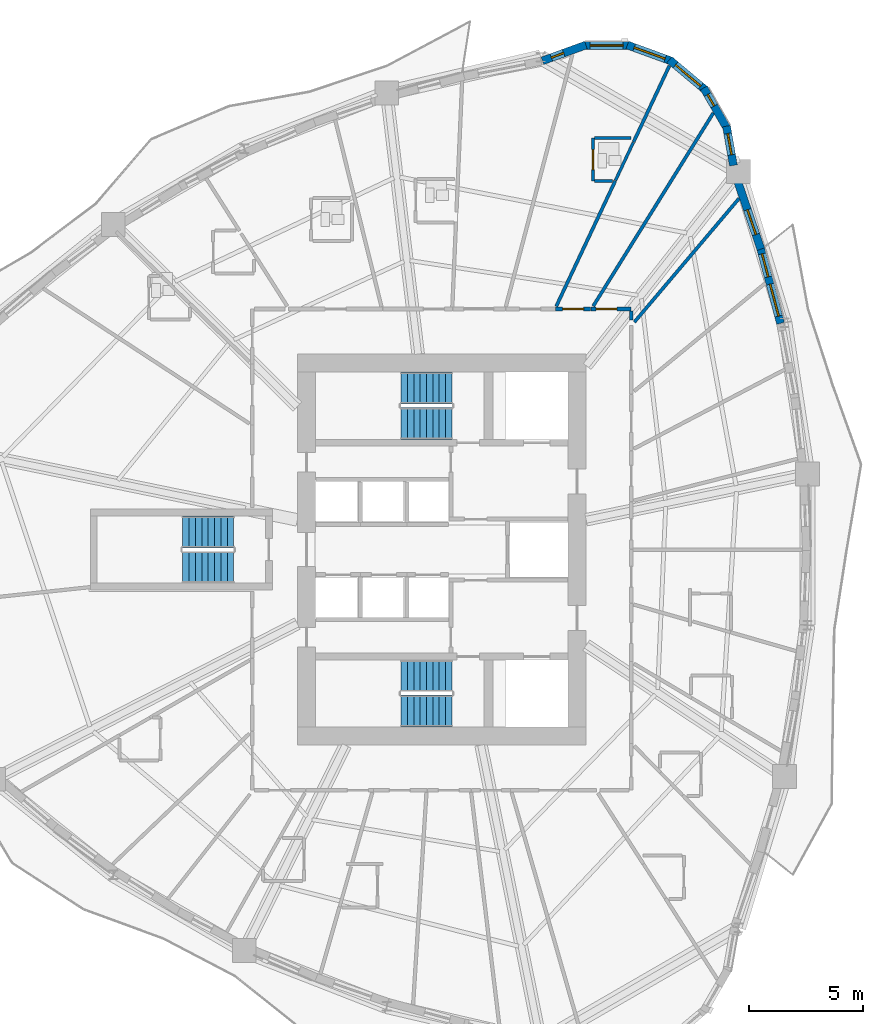
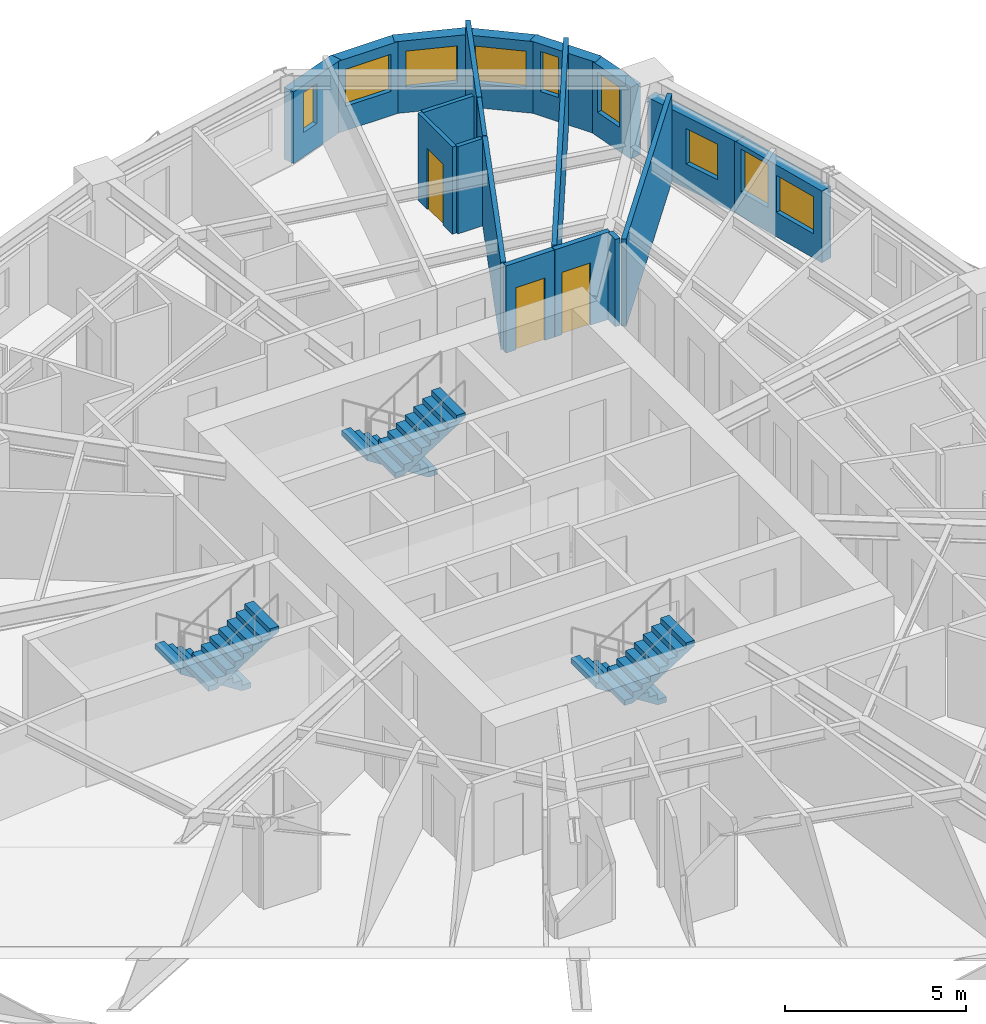
# One storey, part 10 of 14: 19 walls, 9 windows, 6 stair flights, 3 doors, 12 openings, 3 elements without a shape of their own.
"""IFC4 building model written with IfcOpenShell, lengths in metres."""

from ifc_helpers import new_model, si_unit, direction, frame, frame_2d, origin, place, context, subcontext, project, spatial, polyline, rectangle, outline, extrude, source, transform, mapped, material, layer, layer_set, type_object, element, fill, aggregate, save


model = new_model("IFC4")

# Units and contexts
model_context = context("Model", 3, precision=1e-05, world=origin(), true_north=direction((0.0, 1.0)))
body_context = subcontext(model_context, "Body", "Model", "MODEL_VIEW")
ifc_project = project(units=[si_unit("LENGTHUNIT", "METRE"), si_unit("AREAUNIT", "SQUARE_METRE"), si_unit("VOLUMEUNIT", "CUBIC_METRE"), si_unit("PLANEANGLEUNIT", "RADIAN"), si_unit("MASSUNIT", "GRAM", prefix="KILO")], contexts=[model_context])

# Site, building, storey
site_placement = place(None, origin())
site = spatial("IfcSite", under=ifc_project, at=site_placement, CompositionType="ELEMENT")
building_placement = place(site_placement, origin())
building = spatial("IfcBuilding", under=site, at=building_placement, Name="Qafzar Sky-Pleat Residences", CompositionType="ELEMENT")
storey_placement = place(building_placement, frame((0.0, 0.0, 7.800048828125)))
storey = spatial("IfcBuildingStorey", under=building, at=storey_placement, Name="L01", CompositionType="ELEMENT", Elevation=7.800048828125)

# Wall, opening, door
ifc_material_1 = material(Name="Acoustic gypsum plasterboard partition", Category="gypsum")
ifc_layer_1 = layer(ifc_material_1, 0.159912109375)
ifc_layer_set_1 = layer_set([ifc_layer_1], Name="Acoustic gypsum plasterboard partition")
wall_type_1 = type_object("IfcWallType", Name="PART-COR-160", PredefinedType="PARTITIONING", material=ifc_layer_set_1)
wall_1_placement = place(storey_placement, frame((36.9130859375, 36.580078125, 0.0), z_axis=(0.0, 0.0, 1.0), x_axis=(1.0, 0.0, 0.0)))
wall_1 = element("IfcWall", 1, at=wall_1_placement, inside=storey, type_object=wall_type_1, Name="L01 Partition Wall PART-L01-PW-036", PredefinedType="PARTITIONING", context=body_context, shape_type="SweptSolid", body=[
    extrude(rectangle(XDim=1.766845703125, YDim=0.159912109375, at=frame_2d((0.88330078125, 0.0))), origin(), (0.0, 0.0, 1.0), 2.93994140625),
])
opening_1_placement = place(wall_1_placement, frame((0.219970703125, 0.0, 0.0)))
opening_1 = element("IfcOpeningElement", 2, at=opening_1_placement, cuts=wall_1, Name="Opening ID-04", PredefinedType="OPENING", context=body_context, shape_type="SweptSolid", body=[
    extrude(rectangle(XDim=0.919921875, YDim=2.10009765625, at=frame_2d((0.4599609375, 1.050048828125))), frame((0.0, 0.08984375, 0.0), z_axis=(0.0, -1.0, 0.0), x_axis=(1.0, 0.0, 0.0)), (0.0, 0.0, 1.0), 0.179931640625),
])
ifc_material_2 = material(Name="Timber-faced fire door", Category="wood")
door_type_1 = type_object("IfcDoorType", Name="DR-BED-920", OperationType="NOTDEFINED", PredefinedType="DOOR", material=ifc_material_2)
shared_shape_1 = source(origin(), body_context, "Body", "SweptSolid", [
    extrude(rectangle(XDim=0.919921875, YDim=2.10009765625, at=frame_2d((0.4599609375, 1.050048828125))), frame((0.0, 0.02490234375, 0.0), z_axis=(0.0, -1.0, 0.0), x_axis=(1.0, 0.0, 0.0)), (0.0, 0.0, 1.0), 0.050048828125),
])
door_1_placement = place(opening_1_placement, origin())
door_1 = element("IfcDoor", 3, at=door_1_placement, inside=storey, type_object=door_type_1, Name="L01 Co-Living Bedroom 6 Door", OperationType="SINGLE_SWING_RIGHT", OverallHeight=2.10009765625, OverallWidth=0.919921875, PredefinedType="DOOR", context=body_context, shape_type="MappedRepresentation", body=[
    mapped(shared_shape_1, transform((0.0, 0.0, 0.0), x_axis=(1.0, 0.0, 0.0), y_axis=(0.0, 1.0, 0.0), z_axis=(0.0, 0.0, 1.0), scale=1.0)),
])
fill(opening_1, door_1)

wall_2_placement = place(storey_placement, frame((35.360107421875, 36.580078125, 0.0), z_axis=(0.0, 0.0, 1.0), x_axis=(1.0, 0.0, 0.0)))
wall_2 = element("IfcWall", 4, at=wall_2_placement, inside=storey, type_object=wall_type_1, Name="L01 Partition Wall PART-L01-PW-038", PredefinedType="PARTITIONING", context=body_context, shape_type="SweptSolid", body=[
    extrude(rectangle(XDim=1.537841796875, YDim=0.159912109375, at=frame_2d((0.76904296875, 0.0))), origin(), (0.0, 0.0, 1.0), 2.93994140625),
])
opening_2_placement = place(wall_2_placement, frame((0.31005859375, 0.0, 0.0)))
opening_2 = element("IfcOpeningElement", 5, at=opening_2_placement, cuts=wall_2, Name="Opening ID-04", PredefinedType="OPENING", context=body_context, shape_type="SweptSolid", body=[
    extrude(rectangle(XDim=0.919921875, YDim=2.10009765625, at=frame_2d((0.4599609375, 1.050048828125))), frame((0.0, 0.08984375, 0.0), z_axis=(0.0, -1.0, 0.0), x_axis=(1.0, 0.0, 0.0)), (0.0, 0.0, 1.0), 0.179931640625),
])
door_2_placement = place(opening_2_placement, origin())
door_2 = element("IfcDoor", 6, at=door_2_placement, inside=storey, type_object=door_type_1, Name="L01 Co-Living Bedroom 5 Door", OperationType="SINGLE_SWING_RIGHT", OverallHeight=2.10009765625, OverallWidth=0.919921875, PredefinedType="DOOR", context=body_context, shape_type="MappedRepresentation", body=[
    mapped(shared_shape_1, transform((0.0, 0.0, 0.0), x_axis=(1.0, 0.0, 0.0), y_axis=(0.0, 1.0, 0.0), z_axis=(0.0, 0.0, 1.0), scale=1.0)),
])
fill(opening_2, door_2)

# Walls
wall_3_placement = place(storey_placement, frame((38.679931640625, 36.091796875, 0.0), z_axis=(0.0, 0.0, 1.0), x_axis=(0.0, 1.0, 0.0)))
element("IfcWall", 7, at=wall_3_placement, inside=storey, type_object=wall_type_1, Name="L01 Partition Wall PART-L01-PW-114", PredefinedType="PARTITIONING", context=body_context, shape_type="SweptSolid", body=[
    extrude(rectangle(XDim=0.400146484375, YDim=0.159912109375, at=frame_2d((0.2001953125, 0.0))), origin(), (0.0, 0.0, 1.0), 2.93994140625),
])
ifc_layer_2 = layer(ifc_material_1, 0.14501953125)
ifc_layer_set_2 = layer_set([ifc_layer_2], Name="Acoustic gypsum plasterboard partition")
wall_type_2 = type_object("IfcWallType", Name="PART-UNIT-145", PredefinedType="PARTITIONING", material=ifc_layer_set_2)
wall_4_placement = place(storey_placement, frame((37.0087890625, 36.705078125, 0.0), z_axis=(0.0, 0.0, 1.0), x_axis=(0.528183829193, 0.849130050451, 0.0)))
element("IfcWall", 8, at=wall_4_placement, inside=storey, type_object=wall_type_2, Name="L01 Partition Wall PART-L01-PW-044", PredefinedType="PARTITIONING", context=body_context, shape_type="SweptSolid", body=[
    extrude(rectangle(XDim=10.00537109375, YDim=0.14501953125, at=frame_2d((5.002685546875, 0.0))), origin(), (0.0, 0.0, 1.0), 2.93994140625),
])
wall_5_placement = place(storey_placement, frame((38.820556640625, 36.0048828125, 0.0), z_axis=(0.0, 0.0, 1.0), x_axis=(0.646174151972, 0.76318999294, 0.0)))
element("IfcWall", 9, at=wall_5_placement, inside=storey, type_object=wall_type_2, Name="L01 Partition Wall PART-L01-PW-052", PredefinedType="PARTITIONING", context=body_context, shape_type="SweptSolid", body=[
    extrude(rectangle(XDim=7.125, YDim=0.14501953125, at=frame_2d((3.5625, 0.0))), origin(), (0.0, 0.0, 1.0), 2.93994140625),
])
wall_6_placement = place(storey_placement, frame((35.384521484375, 36.697998046875, 0.0), z_axis=(0.0, 0.0, 1.0), x_axis=(0.425687116038, 0.904870421242, 0.0)))
element("IfcWall", 10, at=wall_6_placement, inside=storey, type_object=wall_type_2, Name="L01 Partition Wall PART-L01-PW-053", PredefinedType="PARTITIONING", context=body_context, shape_type="SweptSolid", body=[
    extrude(rectangle(XDim=6.09716796875, YDim=0.14501953125, at=frame_2d((3.048583984375, 0.0))), origin(), (0.0, 0.0, 1.0), 2.93994140625),
])
wall_7_placement = place(storey_placement, frame((38.782958984375, 43.9208984375, 0.0), z_axis=(0.0, 0.0, 1.0), x_axis=(0.425698730146, 0.904864957412, 0.0)))
element("IfcWall", 11, at=wall_7_placement, inside=storey, type_object=wall_type_2, Name="L01 Partition Wall PART-L01-PW-063", PredefinedType="PARTITIONING", context=body_context, shape_type="SweptSolid", body=[
    extrude(rectangle(XDim=3.707763671875, YDim=0.14501953125, at=frame_2d((1.85400390625, 0.0))), origin(), (0.0, 0.0, 1.0), 2.93994140625),
])

# Wall, opening, door
ifc_material_3 = material(Name="Moisture-resistant gypsum partition", Category="gypsum")
ifc_layer_3 = layer(ifc_material_3, 0.1298828125)
ifc_layer_set_3 = layer_set([ifc_layer_3], Name="Moisture-resistant gypsum partition")
wall_type_3 = type_object("IfcWallType", Name="PART-WET-130", PredefinedType="PARTITIONING", material=ifc_layer_set_3)
wall_8_placement = place(storey_placement, frame((36.998046875, 44.10009765625, 0.0), z_axis=(0.0, 0.0, 1.0), x_axis=(0.0, -1.0, 0.0)))
wall_8 = element("IfcWall", 12, at=wall_8_placement, inside=storey, type_object=wall_type_3, Name="L01 Partition Wall PART-L01-PW-027", PredefinedType="PARTITIONING", context=body_context, shape_type="SweptSolid", body=[
    extrude(rectangle(XDim=1.900146484375, YDim=0.1298828125, at=frame_2d((0.9501953125, 0.0))), origin(), (0.0, 0.0, 1.0), 2.93994140625),
])
opening_3_placement = place(wall_8_placement, frame((0.510009765625, 0.0, 0.0)))
opening_3 = element("IfcOpeningElement", 13, at=opening_3_placement, cuts=wall_8, Name="Opening ID-07", PredefinedType="OPENING", context=body_context, shape_type="SweptSolid", body=[
    extrude(rectangle(XDim=0.8798828125, YDim=2.050048828125, at=frame_2d((0.43994140625, 1.02490234375))), frame((0.0, 0.074951171875, 0.0), z_axis=(0.0, -1.0, 0.0), x_axis=(1.0, 0.0, 0.0)), (0.0, 0.0, 1.0), 0.14990234375),
])
door_type_2 = type_object("IfcDoorType", Name="DR-WET-880", OperationType="NOTDEFINED", PredefinedType="DOOR", material=ifc_material_2)
shared_shape_2 = source(origin(), body_context, "Body", "SweptSolid", [
    extrude(rectangle(XDim=0.8798828125, YDim=2.050048828125, at=frame_2d((0.43994140625, 1.02490234375))), frame((0.0, 0.02490234375, 0.0), z_axis=(0.0, -1.0, 0.0), x_axis=(1.0, 0.0, 0.0)), (0.0, 0.0, 1.0), 0.050048828125),
])
door_3_placement = place(opening_3_placement, origin())
door_3 = element("IfcDoor", 14, at=door_3_placement, inside=storey, type_object=door_type_2, Name="L01 En-suite Bathroom 7 Door", OperationType="SINGLE_SWING_LEFT", OverallHeight=2.050048828125, OverallWidth=0.8798828125, PredefinedType="DOOR", context=body_context, shape_type="MappedRepresentation", body=[
    mapped(shared_shape_2, transform((0.0, 0.0, 0.0), x_axis=(1.0, 0.0, 0.0), y_axis=(0.0, 1.0, 0.0), z_axis=(0.0, 0.0, 1.0), scale=1.0)),
])
fill(opening_3, door_3)

# Walls
wall_9_placement = place(storey_placement, frame((37.986572265625, 42.228515625, 0.0), z_axis=(0.0, 0.0, 1.0), x_axis=(0.425771690569, 0.904830629184, 0.0)))
element("IfcWall", 15, at=wall_9_placement, inside=storey, type_object=wall_type_3, Name="L01 Partition Wall PART-L01-PW-077", PredefinedType="PARTITIONING", context=body_context, shape_type="SweptSolid", body=[
    extrude(rectangle(XDim=1.85546875, YDim=0.1298828125, at=frame_2d((0.927734375, 0.0))), origin(), (0.0, 0.0, 1.0), 2.93994140625),
])
wall_10_placement = place(storey_placement, frame((37.071044921875, 44.10009765625, 0.0), z_axis=(0.0, 0.0, 1.0), x_axis=(1.0, 0.0, 0.0)))
element("IfcWall", 16, at=wall_10_placement, inside=storey, type_object=wall_type_3, Name="L01 Partition Wall PART-L01-PW-080", PredefinedType="PARTITIONING", context=body_context, shape_type="SweptSolid", body=[
    extrude(rectangle(XDim=1.608154296875, YDim=0.1298828125, at=frame_2d((0.80419921875, 0.0))), origin(), (0.0, 0.0, 1.0), 2.93994140625),
])
wall_11_placement = place(storey_placement, frame((37.071044921875, 42.199951171875, 0.0), z_axis=(0.0, 0.0, 1.0), x_axis=(1.0, 0.0, 0.0)))
element("IfcWall", 17, at=wall_11_placement, inside=storey, type_object=wall_type_3, Name="L01 Partition Wall PART-L01-PW-109", PredefinedType="PARTITIONING", context=body_context, shape_type="SweptSolid", body=[
    extrude(rectangle(XDim=0.783203125, YDim=0.1298828125, at=frame_2d((0.3916015625, 0.0))), origin(), (0.0, 0.0, 1.0), 2.93994140625),
])

# Wall, openings, windows
ifc_material_4 = material(Name="Precast concrete C40/50 with honed Riyadh limestone", Category="concrete")
ifc_layer_4 = layer(ifc_material_4, 0.35009765625)
ifc_layer_set_4 = layer_set([ifc_layer_4], Name="Precast concrete C40/50 with honed Riyadh limestone")
wall_type_4 = type_object("IfcWallType", Name="WALL-EXT-350", PredefinedType="SOLIDWALL", material=ifc_layer_set_4)
wall_12_placement = place(storey_placement, frame((45.24755859375, 35.950927734375, 0.0), z_axis=(0.0, 0.0, 1.0), x_axis=(-0.25703883136, 0.966401075731, 0.0)))
wall_12 = element("IfcWall", 18, at=wall_12_placement, inside=storey, type_object=wall_type_4, Name="L01 Limestone Facade Wall 31", PredefinedType="SOLIDWALL", context=body_context, shape_type="SweptSolid", body=[
    extrude(rectangle(XDim=3.459228515625, YDim=0.35009765625, at=frame_2d((1.7294921875, 0.0))), origin(), (0.0, 0.0, 1.0), 2.419921875),
])
opening_4_placement = place(wall_12_placement, frame((0.329345703125, 0.0, 0.820068359375)))
opening_4 = element("IfcOpeningElement", 19, at=opening_4_placement, cuts=wall_12, Name="Opening WN-15", PredefinedType="OPENING", context=body_context, shape_type="SweptSolid", body=[
    extrude(rectangle(XDim=1.449951171875, YDim=1.25, at=frame_2d((0.72509765625, 0.625))), frame((0.0, 0.18505859375, 0.0), z_axis=(0.0, -1.0, 0.0), x_axis=(1.0, 0.0, 0.0)), (0.0, 0.0, 1.0), 0.3701171875),
])
opening_5_placement = place(wall_12_placement, frame((2.109130859375, 0.0, 0.820068359375)))
opening_5 = element("IfcOpeningElement", 20, at=opening_5_placement, cuts=wall_12, Name="Opening WN-06", PredefinedType="OPENING", context=body_context, shape_type="SweptSolid", body=[
    extrude(rectangle(XDim=1.050048828125, YDim=1.449951171875, at=frame_2d((0.52490234375, 0.72509765625))), frame((0.0, 0.18505859375, 0.0), z_axis=(0.0, -1.0, 0.0), x_axis=(1.0, 0.0, 0.0)), (0.0, 0.0, 1.0), 0.3701171875),
])
ifc_material_5 = material(Name="Solar-control low-E glass in bronze aluminium frame", Category="glass")
window_type_1 = type_object("IfcWindowType", Name="WIN-15", PartitioningType="SINGLE_PANEL", PredefinedType="WINDOW", material=ifc_material_5)
shared_shape_3 = source(origin(), body_context, "Body", "SweptSolid", [
    extrude(rectangle(XDim=1.449951171875, YDim=1.25, at=frame_2d((0.72509765625, 0.625))), frame((0.0, 0.030029296875, 0.0), z_axis=(0.0, -1.0, 0.0), x_axis=(1.0, 0.0, 0.0)), (0.0, 0.0, 1.0), 0.06005859375),
])
window_1_placement = place(opening_4_placement, origin())
window_1 = element("IfcWindow", 21, at=window_1_placement, inside=storey, type_object=window_type_1, Name="L01 Punched Facade Window 31", OverallHeight=1.25, OverallWidth=1.449951171875, PartitioningType="SINGLE_PANEL", PredefinedType="WINDOW", context=body_context, shape_type="MappedRepresentation", body=[
    mapped(shared_shape_3, transform((0.0, 0.0, 0.0), x_axis=(1.0, 0.0, 0.0), y_axis=(0.0, 1.0, 0.0), z_axis=(0.0, 0.0, 1.0), scale=1.0)),
])
fill(opening_4, window_1)
window_type_2 = type_object("IfcWindowType", Name="WIN-06", PartitioningType="SINGLE_PANEL", PredefinedType="WINDOW", material=ifc_material_5)
shared_shape_4 = source(origin(), body_context, "Body", "SweptSolid", [
    extrude(rectangle(XDim=1.050048828125, YDim=1.449951171875, at=frame_2d((0.52490234375, 0.72509765625))), frame((0.0, 0.030029296875, 0.0), z_axis=(0.0, -1.0, 0.0), x_axis=(1.0, 0.0, 0.0)), (0.0, 0.0, 1.0), 0.06005859375),
])
window_2_placement = place(opening_5_placement, origin())
window_2 = element("IfcWindow", 22, at=window_2_placement, inside=storey, type_object=window_type_2, Name="L01 Punched Facade Window 31-2", OverallHeight=1.449951171875, OverallWidth=1.050048828125, PartitioningType="SINGLE_PANEL", PredefinedType="WINDOW", context=body_context, shape_type="MappedRepresentation", body=[
    mapped(shared_shape_4, transform((0.0, 0.0, 0.0), x_axis=(1.0, 0.0, 0.0), y_axis=(0.0, 1.0, 0.0), z_axis=(0.0, 0.0, 1.0), scale=1.0)),
])
fill(opening_5, window_2)

# Wall, opening, window
wall_13_placement = place(storey_placement, frame((44.384033203125, 39.209716796875, 0.0), z_axis=(0.0, 0.0, 1.0), x_axis=(-0.323604561993, 0.946192415663, 0.0)))
wall_13 = element("IfcWall", 23, at=wall_13_placement, inside=storey, type_object=wall_type_4, Name="L01 Limestone Facade Wall 32", PredefinedType="SOLIDWALL", context=body_context, shape_type="SweptSolid", body=[
    extrude(rectangle(XDim=3.25244140625, YDim=0.35009765625, at=frame_2d((1.626220703125, 0.0))), origin(), (0.0, 0.0, 1.0), 2.419921875),
])
opening_6_placement = place(wall_13_placement, frame((0.6826171875, 0.0, 0.820068359375)))
opening_6 = element("IfcOpeningElement", 24, at=opening_6_placement, cuts=wall_13, Name="Opening WN-16", PredefinedType="OPENING", context=body_context, shape_type="SweptSolid", body=[
    extrude(rectangle(XDim=1.14990234375, YDim=1.199951171875, at=frame_2d((0.574951171875, 0.60009765625))), frame((0.0, 0.18505859375, 0.0), z_axis=(0.0, -1.0, 0.0), x_axis=(1.0, 0.0, 0.0)), (0.0, 0.0, 1.0), 0.3701171875),
])
window_type_3 = type_object("IfcWindowType", Name="WIN-16", PartitioningType="SINGLE_PANEL", PredefinedType="WINDOW", material=ifc_material_5)
shared_shape_5 = source(origin(), body_context, "Body", "SweptSolid", [
    extrude(rectangle(XDim=1.14990234375, YDim=1.199951171875, at=frame_2d((0.574951171875, 0.60009765625))), frame((0.0, 0.030029296875, 0.0), z_axis=(0.0, -1.0, 0.0), x_axis=(1.0, 0.0, 0.0)), (0.0, 0.0, 1.0), 0.06005859375),
])
window_3_placement = place(opening_6_placement, origin())
window_3 = element("IfcWindow", 25, at=window_3_placement, inside=storey, type_object=window_type_3, Name="L01 Punched Facade Window 32", OverallHeight=1.199951171875, OverallWidth=1.14990234375, PartitioningType="SINGLE_PANEL", PredefinedType="WINDOW", context=body_context, shape_type="MappedRepresentation", body=[
    mapped(shared_shape_5, transform((0.0, 0.0, 0.0), x_axis=(1.0, 0.0, 0.0), y_axis=(0.0, 1.0, 0.0), z_axis=(0.0, 0.0, 1.0), scale=1.0)),
])
fill(opening_6, window_3)

wall_14_placement = place(storey_placement, frame((43.175537109375, 42.892822265625, 0.0), z_axis=(0.0, 0.0, 1.0), x_axis=(-0.173610462023, 0.984814402553, 0.0)))
wall_14 = element("IfcWall", 26, at=wall_14_placement, inside=storey, type_object=wall_type_4, Name="L01 Limestone Facade Wall 33", PredefinedType="SOLIDWALL", context=body_context, shape_type="SweptSolid", body=[
    extrude(rectangle(XDim=1.752197265625, YDim=0.35009765625, at=frame_2d((0.8759765625, 0.0))), origin(), (0.0, 0.0, 1.0), 2.419921875),
])
opening_7_placement = place(wall_14_placement, frame((0.476318359375, 0.0, 0.820068359375)))
opening_7 = element("IfcOpeningElement", 27, at=opening_7_placement, cuts=wall_14, Name="Opening WN-12", PredefinedType="OPENING", context=body_context, shape_type="SweptSolid", body=[
    extrude(rectangle(XDim=0.949951171875, YDim=1.35009765625, at=frame_2d((0.47509765625, 0.675048828125))), frame((0.0, 0.18505859375, 0.0), z_axis=(0.0, -1.0, 0.0), x_axis=(1.0, 0.0, 0.0)), (0.0, 0.0, 1.0), 0.3701171875),
])
window_type_4 = type_object("IfcWindowType", Name="WIN-12", PartitioningType="SINGLE_PANEL", PredefinedType="WINDOW", material=ifc_material_5)
shared_shape_6 = source(origin(), body_context, "Body", "SweptSolid", [
    extrude(rectangle(XDim=0.949951171875, YDim=1.35009765625, at=frame_2d((0.47509765625, 0.675048828125))), frame((0.0, 0.030029296875, 0.0), z_axis=(0.0, -1.0, 0.0), x_axis=(1.0, 0.0, 0.0)), (0.0, 0.0, 1.0), 0.06005859375),
])
window_4_placement = place(opening_7_placement, origin())
window_4 = element("IfcWindow", 28, at=window_4_placement, inside=storey, type_object=window_type_4, Name="L01 Punched Facade Window 33", OverallHeight=1.35009765625, OverallWidth=0.949951171875, PartitioningType="SINGLE_PANEL", PredefinedType="WINDOW", context=body_context, shape_type="MappedRepresentation", body=[
    mapped(shared_shape_6, transform((0.0, 0.0, 0.0), x_axis=(1.0, 0.0, 0.0), y_axis=(0.0, 1.0, 0.0), z_axis=(0.0, 0.0, 1.0), scale=1.0)),
])
fill(opening_7, window_4)

wall_15_placement = place(storey_placement, frame((42.91748046875, 44.490966796875, 0.0), z_axis=(0.0, 0.0, 1.0), x_axis=(-0.49990781971, 0.866078617559, 0.0)))
wall_15 = element("IfcWall", 29, at=wall_15_placement, inside=storey, type_object=wall_type_4, Name="L01 Limestone Facade Wall 34", PredefinedType="SOLIDWALL", context=body_context, shape_type="SweptSolid", body=[
    extrude(rectangle(XDim=2.09033203125, YDim=0.35009765625, at=frame_2d((1.045166015625, 0.0))), origin(), (0.0, 0.0, 1.0), 2.419921875),
])
opening_8_placement = place(wall_15_placement, frame((1.17529296875, 0.0, 0.820068359375)))
opening_8 = element("IfcOpeningElement", 30, at=opening_8_placement, cuts=wall_15, Name="Opening WN-17", PredefinedType="OPENING", context=body_context, shape_type="SweptSolid", body=[
    extrude(rectangle(XDim=0.580078125, YDim=1.35009765625, at=frame_2d((0.2900390625, 0.675048828125))), frame((0.0, 0.18505859375, 0.0), z_axis=(0.0, -1.0, 0.0), x_axis=(1.0, 0.0, 0.0)), (0.0, 0.0, 1.0), 0.3701171875),
])
window_type_5 = type_object("IfcWindowType", Name="WIN-17", PartitioningType="SINGLE_PANEL", PredefinedType="WINDOW", material=ifc_material_5)
shared_shape_7 = source(origin(), body_context, "Body", "SweptSolid", [
    extrude(rectangle(XDim=0.580078125, YDim=1.35009765625, at=frame_2d((0.2900390625, 0.675048828125))), frame((0.0, 0.030029296875, 0.0), z_axis=(0.0, -1.0, 0.0), x_axis=(1.0, 0.0, 0.0)), (0.0, 0.0, 1.0), 0.06005859375),
])
window_5_placement = place(opening_8_placement, origin())
window_5 = element("IfcWindow", 31, at=window_5_placement, inside=storey, type_object=window_type_5, Name="L01 Punched Facade Window 34-2", OverallHeight=1.35009765625, OverallWidth=0.580078125, PartitioningType="SINGLE_PANEL", PredefinedType="WINDOW", context=body_context, shape_type="MappedRepresentation", body=[
    mapped(shared_shape_7, transform((0.0, 0.0, 0.0), x_axis=(1.0, 0.0, 0.0), y_axis=(0.0, 1.0, 0.0), z_axis=(0.0, 0.0, 1.0), scale=1.0)),
])
fill(opening_8, window_5)

wall_16_placement = place(storey_placement, frame((41.959716796875, 46.197509765625, 0.0), z_axis=(0.0, 0.0, 1.0), x_axis=(-0.766082082368, 0.642742750308, 0.0)))
wall_16 = element("IfcWall", 32, at=wall_16_placement, inside=storey, type_object=wall_type_4, Name="L01 Limestone Facade Wall 35", PredefinedType="SOLIDWALL", context=body_context, shape_type="SweptSolid", body=[
    extrude(rectangle(XDim=2.09033203125, YDim=0.35009765625, at=frame_2d((1.045166015625, 0.0))), origin(), (0.0, 0.0, 1.0), 2.419921875),
])
opening_9_placement = place(wall_16_placement, frame((0.287353515625, 0.0, 0.820068359375)))
opening_9 = element("IfcOpeningElement", 33, at=opening_9_placement, cuts=wall_16, Name="Opening WN-15", PredefinedType="OPENING", context=body_context, shape_type="SweptSolid", body=[
    extrude(rectangle(XDim=1.449951171875, YDim=1.25, at=frame_2d((0.72509765625, 0.625))), frame((0.0, 0.18505859375, 0.0), z_axis=(0.0, -1.0, 0.0), x_axis=(1.0, 0.0, 0.0)), (0.0, 0.0, 1.0), 0.3701171875),
])
window_6_placement = place(opening_9_placement, origin())
window_6 = element("IfcWindow", 34, at=window_6_placement, inside=storey, type_object=window_type_1, Name="L01 Punched Facade Window 35", OverallHeight=1.25, OverallWidth=1.449951171875, PartitioningType="SINGLE_PANEL", PredefinedType="WINDOW", context=body_context, shape_type="MappedRepresentation", body=[
    mapped(shared_shape_3, transform((0.0, 0.0, 0.0), x_axis=(1.0, 0.0, 0.0), y_axis=(0.0, 1.0, 0.0), z_axis=(0.0, 0.0, 1.0), scale=1.0)),
])
fill(opening_9, window_6)

wall_17_placement = place(storey_placement, frame((40.475830078125, 47.47314453125, 0.0), z_axis=(0.0, 0.0, 1.0), x_axis=(-0.939660353162, 0.342108784886, 0.0)))
wall_17 = element("IfcWall", 35, at=wall_17_placement, inside=storey, type_object=wall_type_4, Name="L01 Limestone Facade Wall 36", PredefinedType="SOLIDWALL", context=body_context, shape_type="SweptSolid", body=[
    extrude(rectangle(XDim=2.09033203125, YDim=0.35009765625, at=frame_2d((1.045166015625, 0.0))), origin(), (0.0, 0.0, 1.0), 2.419921875),
])
opening_10_placement = place(wall_17_placement, frame((0.3203125, 0.0, 0.820068359375)))
opening_10 = element("IfcOpeningElement", 36, at=opening_10_placement, cuts=wall_17, Name="Opening WN-15", PredefinedType="OPENING", context=body_context, shape_type="SweptSolid", body=[
    extrude(rectangle(XDim=1.449951171875, YDim=1.25, at=frame_2d((0.72509765625, 0.625))), frame((0.0, 0.18505859375, 0.0), z_axis=(0.0, -1.0, 0.0), x_axis=(1.0, 0.0, 0.0)), (0.0, 0.0, 1.0), 0.3701171875),
])
window_7_placement = place(opening_10_placement, origin())
window_7 = element("IfcWindow", 37, at=window_7_placement, inside=storey, type_object=window_type_1, Name="L01 Punched Facade Window 36", OverallHeight=1.25, OverallWidth=1.449951171875, PartitioningType="SINGLE_PANEL", PredefinedType="WINDOW", context=body_context, shape_type="MappedRepresentation", body=[
    mapped(shared_shape_3, transform((0.0, 0.0, 0.0), x_axis=(1.0, 0.0, 0.0), y_axis=(0.0, 1.0, 0.0), z_axis=(0.0, 0.0, 1.0), scale=1.0)),
])
fill(opening_10, window_7)

wall_18_placement = place(storey_placement, frame((38.645263671875, 48.16455078125, 0.0), z_axis=(0.0, 0.0, 1.0), x_axis=(-1.0, 0.0, 0.0)))
wall_18 = element("IfcWall", 38, at=wall_18_placement, inside=storey, type_object=wall_type_4, Name="L01 Limestone Facade Wall 37", PredefinedType="SOLIDWALL", context=body_context, shape_type="SweptSolid", body=[
    extrude(rectangle(XDim=2.090576171875, YDim=0.35009765625, at=frame_2d((1.04541015625, 0.0))), origin(), (0.0, 0.0, 1.0), 2.419921875),
])
opening_11_placement = place(wall_18_placement, frame((0.3203125, 0.0, 0.820068359375)))
opening_11 = element("IfcOpeningElement", 39, at=opening_11_placement, cuts=wall_18, Name="Opening WN-15", PredefinedType="OPENING", context=body_context, shape_type="SweptSolid", body=[
    extrude(rectangle(XDim=1.449951171875, YDim=1.25, at=frame_2d((0.72509765625, 0.625))), frame((0.0, 0.18505859375, 0.0), z_axis=(0.0, -1.0, 0.0), x_axis=(1.0, 0.0, 0.0)), (0.0, 0.0, 1.0), 0.3701171875),
])
window_8_placement = place(opening_11_placement, origin())
window_8 = element("IfcWindow", 40, at=window_8_placement, inside=storey, type_object=window_type_1, Name="L01 Punched Facade Window 37", OverallHeight=1.25, OverallWidth=1.449951171875, PartitioningType="SINGLE_PANEL", PredefinedType="WINDOW", context=body_context, shape_type="MappedRepresentation", body=[
    mapped(shared_shape_3, transform((0.0, 0.0, 0.0), x_axis=(1.0, 0.0, 0.0), y_axis=(0.0, 1.0, 0.0), z_axis=(0.0, 0.0, 1.0), scale=1.0)),
])
fill(opening_11, window_8)

wall_19_placement = place(storey_placement, frame((36.6884765625, 48.188232421875, 0.0), z_axis=(0.0, 0.0, 1.0), x_axis=(-0.939653047052, -0.342128851701, 0.0)))
wall_19 = element("IfcWall", 41, at=wall_19_placement, inside=storey, type_object=wall_type_4, Name="L01 Limestone Facade Wall 38", PredefinedType="SOLIDWALL", context=body_context, shape_type="SweptSolid", body=[
    extrude(rectangle(XDim=2.0322265625, YDim=0.35009765625, at=frame_2d((1.01611328125, 0.0))), origin(), (0.0, 0.0, 1.0), 2.419921875),
])
opening_12_placement = place(wall_19_placement, frame((1.038818359375, 0.0, 0.820068359375)))
opening_12 = element("IfcOpeningElement", 42, at=opening_12_placement, cuts=wall_19, Name="Opening WN-17", PredefinedType="OPENING", context=body_context, shape_type="SweptSolid", body=[
    extrude(rectangle(XDim=0.580078125, YDim=1.35009765625, at=frame_2d((0.2900390625, 0.675048828125))), frame((0.0, 0.18505859375, 0.0), z_axis=(0.0, -1.0, 0.0), x_axis=(1.0, 0.0, 0.0)), (0.0, 0.0, 1.0), 0.3701171875),
])
window_9_placement = place(opening_12_placement, origin())
window_9 = element("IfcWindow", 43, at=window_9_placement, inside=storey, type_object=window_type_5, Name="L01 Punched Facade Window 38-2", OverallHeight=1.35009765625, OverallWidth=0.580078125, PartitioningType="SINGLE_PANEL", PredefinedType="WINDOW", context=body_context, shape_type="MappedRepresentation", body=[
    mapped(shared_shape_7, transform((0.0, 0.0, 0.0), x_axis=(1.0, 0.0, 0.0), y_axis=(0.0, 1.0, 0.0), z_axis=(0.0, 0.0, 1.0), scale=1.0)),
])
fill(opening_12, window_9)

# Stair, stair flights
ifc_material_6 = material(Name="Concrete C40/50", Category="concrete")
stair_type = type_object("IfcStairType", Name="STAIR-H320", PredefinedType="HALF_TURN_STAIR", material=ifc_material_6)
stair_1_placement = place(storey_placement, origin())
stair_1 = element("IfcStair", 44, at=stair_1_placement, inside=storey, type_object=stair_type, Name="L01 Protected Exit Stair ST1", PredefinedType="HALF_TURN_STAIR")
stair_flight_type = type_object("IfcStairFlightType", Name="FLIGHT-H320", PredefinedType="STRAIGHT", material=ifc_material_6)
shared_shape_8 = source(origin(), body_context, "Body", "SweptSolid", [
    extrude(outline(polyline([(0.0, 0.0), (0.0, 0.177734375), (0.280029296875, 0.177734375), (0.280029296875, 0.35546875), (0.56005859375, 0.35546875), (0.56005859375, 0.533447265625), (0.840087890625, 0.533447265625), (0.840087890625, 0.711181640625), (1.1201171875, 0.711181640625), (1.1201171875, 0.888916015625), (1.39990234375, 0.888916015625), (1.39990234375, 1.066650390625), (1.679931640625, 1.066650390625), (1.679931640625, 1.244384765625), (1.9599609375, 1.244384765625), (1.9599609375, 1.422119140625), (2.239990234375, 1.422119140625), (2.239990234375, 1.60009765625), (2.239990234375, 1.24462890625), (0.27978515625, 0.0), (0.0, 0.0)])), frame((0.0, 0.699951171875, 0.0), z_axis=(0.0, -1.0, 0.0), x_axis=(1.0, 0.0, 0.0)), (0.0, 0.0, 1.0), 1.39990234375),
])
stair_flight_1_placement = place(storey_placement, frame((30.800048828125, 20.449951171875, 0.0), z_axis=(0.0, 0.0, 1.0), x_axis=(-1.0, 0.0, 0.0)))
stair_flight_1 = element("IfcStairFlight", 45, at=stair_flight_1_placement, type_object=stair_flight_type, Name="ST1 flight 1", NumberOfRisers=9, NumberOfTreads=8, PredefinedType="STRAIGHT", RiserHeight=0.177777778, TreadLength=0.28, context=body_context, shape_type="MappedRepresentation", body=[
    mapped(shared_shape_8, transform((0.0, 0.0, 0.0), x_axis=(1.0, 0.0, 0.0), y_axis=(0.0, 1.0, 0.0), z_axis=(0.0, 0.0, 1.0), scale=1.0)),
])
stair_flight_2_placement = place(storey_placement, frame((28.56005859375, 18.89990234375, 1.599853515625), z_axis=(0.0, 0.0, 1.0), x_axis=(1.0, 0.0, 0.0)))
stair_flight_2 = element("IfcStairFlight", 46, at=stair_flight_2_placement, type_object=stair_flight_type, Name="ST1 flight 2", NumberOfRisers=9, NumberOfTreads=8, PredefinedType="STRAIGHT", RiserHeight=0.177777778, TreadLength=0.28, context=body_context, shape_type="MappedRepresentation", body=[
    mapped(shared_shape_8, transform((0.0, 0.0, 0.0), x_axis=(1.0, 0.0, 0.0), y_axis=(0.0, 1.0, 0.0), z_axis=(0.0, 0.0, 1.0), scale=1.0)),
])
aggregate(stair_1, [stair_flight_1, stair_flight_2])

stair_2_placement = place(storey_placement, origin())
stair_2 = element("IfcStair", 47, at=stair_2_placement, inside=storey, type_object=stair_type, Name="L01 Protected Exit Stair ST2", PredefinedType="HALF_TURN_STAIR")
stair_flight_3_placement = place(storey_placement, frame((30.800048828125, 33.10009765625, 0.0), z_axis=(0.0, 0.0, 1.0), x_axis=(-1.0, 0.0, 0.0)))
stair_flight_3 = element("IfcStairFlight", 48, at=stair_flight_3_placement, type_object=stair_flight_type, Name="ST2 flight 1", NumberOfRisers=9, NumberOfTreads=8, PredefinedType="STRAIGHT", RiserHeight=0.177777778, TreadLength=0.28, context=body_context, shape_type="MappedRepresentation", body=[
    mapped(shared_shape_8, transform((0.0, 0.0, 0.0), x_axis=(1.0, 0.0, 0.0), y_axis=(0.0, 1.0, 0.0), z_axis=(0.0, 0.0, 1.0), scale=1.0)),
])
stair_flight_4_placement = place(storey_placement, frame((28.56005859375, 31.550048828125, 1.599853515625), z_axis=(0.0, 0.0, 1.0), x_axis=(1.0, 0.0, 0.0)))
stair_flight_4 = element("IfcStairFlight", 49, at=stair_flight_4_placement, type_object=stair_flight_type, Name="ST2 flight 2", NumberOfRisers=9, NumberOfTreads=8, PredefinedType="STRAIGHT", RiserHeight=0.177777778, TreadLength=0.28, context=body_context, shape_type="MappedRepresentation", body=[
    mapped(shared_shape_8, transform((0.0, 0.0, 0.0), x_axis=(1.0, 0.0, 0.0), y_axis=(0.0, 1.0, 0.0), z_axis=(0.0, 0.0, 1.0), scale=1.0)),
])
aggregate(stair_2, [stair_flight_3, stair_flight_4])

stair_3_placement = place(storey_placement, origin())
stair_3 = element("IfcStair", 50, at=stair_3_placement, inside=storey, type_object=stair_type, Name="L01 Protected Exit Stair ST3", PredefinedType="HALF_TURN_STAIR")
stair_flight_5_placement = place(storey_placement, frame((21.199951171875, 26.77490234375, 0.0), z_axis=(0.0, 0.0, 1.0), x_axis=(-1.0, 0.0, 0.0)))
stair_flight_5 = element("IfcStairFlight", 51, at=stair_flight_5_placement, type_object=stair_flight_type, Name="ST3 flight 1", NumberOfRisers=9, NumberOfTreads=8, PredefinedType="STRAIGHT", RiserHeight=0.177777778, TreadLength=0.28, context=body_context, shape_type="MappedRepresentation", body=[
    mapped(shared_shape_8, transform((0.0, 0.0, 0.0), x_axis=(1.0, 0.0, 0.0), y_axis=(0.0, 1.0, 0.0), z_axis=(0.0, 0.0, 1.0), scale=1.0)),
])
stair_flight_6_placement = place(storey_placement, frame((18.9599609375, 25.22509765625, 1.599853515625), z_axis=(0.0, 0.0, 1.0), x_axis=(1.0, 0.0, 0.0)))
stair_flight_6 = element("IfcStairFlight", 52, at=stair_flight_6_placement, type_object=stair_flight_type, Name="ST3 flight 2", NumberOfRisers=9, NumberOfTreads=8, PredefinedType="STRAIGHT", RiserHeight=0.177777778, TreadLength=0.28, context=body_context, shape_type="MappedRepresentation", body=[
    mapped(shared_shape_8, transform((0.0, 0.0, 0.0), x_axis=(1.0, 0.0, 0.0), y_axis=(0.0, 1.0, 0.0), z_axis=(0.0, 0.0, 1.0), scale=1.0)),
])
aggregate(stair_3, [stair_flight_5, stair_flight_6])

save(model, "model.ifc")
